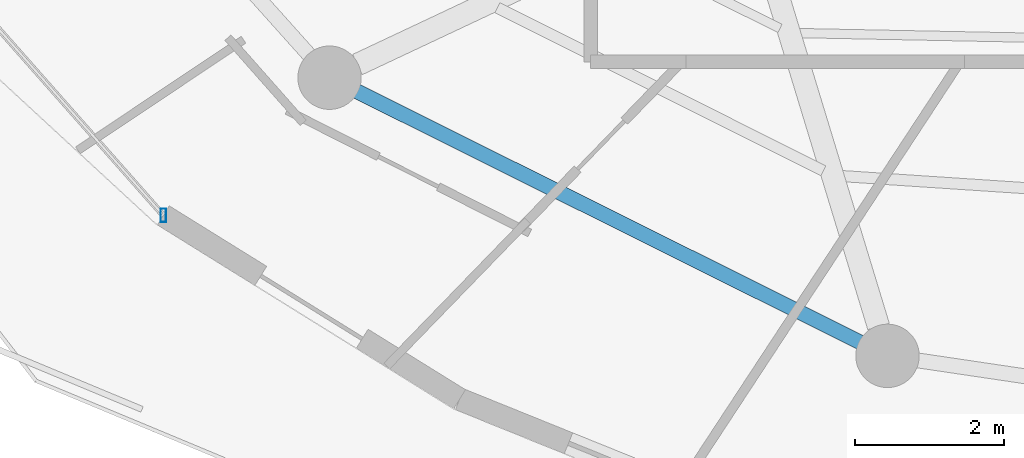
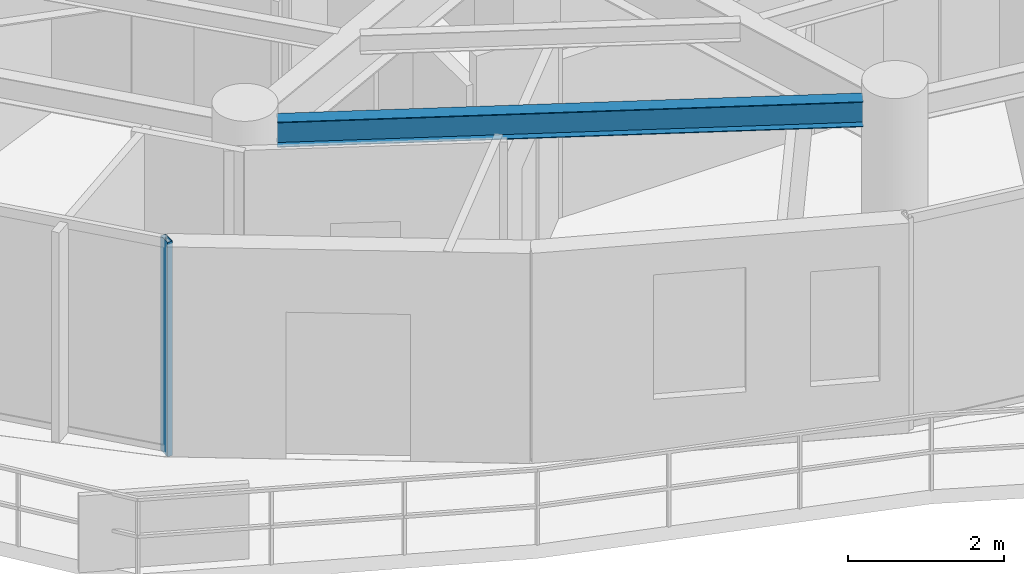
# One storey, part 2 of 31: 1 beam, 1 member, 1 element without a shape of its own.
"""IFC4 building model written with IfcOpenShell, lengths in metres."""

from ifc_helpers import new_model, si_unit, direction, frame, origin, origin_2d, place, context, subcontext, project, spatial, hollow_rectangle, i_section, extrude, material, material_profile, profile_set, type_object, element, aggregate, save


model = new_model("IFC4")

# Units and contexts
model_context = context("Model", 3, precision=1e-05, world=origin(), true_north=direction((0.0, 1.0)))
body_context = subcontext(model_context, "Body", "Model", "MODEL_VIEW")
ifc_project = project(units=[si_unit("LENGTHUNIT", "METRE"), si_unit("AREAUNIT", "SQUARE_METRE"), si_unit("VOLUMEUNIT", "CUBIC_METRE"), si_unit("PLANEANGLEUNIT", "RADIAN"), si_unit("MASSUNIT", "GRAM", prefix="KILO")], contexts=[model_context])

# Site, building, storey
site_placement = place(None, origin())
site = spatial("IfcSite", under=ifc_project, at=site_placement, CompositionType="ELEMENT")
building_placement = place(site_placement, origin())
building = spatial("IfcBuilding", under=site, at=building_placement, Name="Vorneva Point Tower", CompositionType="ELEMENT")
storey_placement = place(building_placement, frame((0.0, 0.0, 248.449951171875)))
storey = spatial("IfcBuildingStorey", under=building, at=storey_placement, Name="L67", CompositionType="ELEMENT", Elevation=248.449951171875)

# Beam
ifc_material_1 = material(Name="Steel S355", Category="steel")
ifc_material_profile_1 = material_profile(ifc_material_1, i_section(OverallWidth=0.198974609375, OverallDepth=0.39599609375, WebThickness=0.007080078125, FlangeThickness=0.010986328125, at=origin_2d()), Name="40B1")
ifc_profile_set_1 = profile_set([ifc_material_profile_1], Name="Steel S355")
beam_type = type_object("IfcBeamType", Name="BM-SPN-40B1", PredefinedType="SPANDREL", material=ifc_profile_set_1)
beam_placement = place(storey_placement, frame((22.068115234375, 13.65478515625, 3.092041015625), z_axis=(0.894932011528, -0.446202526599, 0.0), x_axis=(0.446202526599, 0.894932011528, 0.0)))
element("IfcBeam", 1, at=beam_placement, inside=storey, type_object=beam_type, Name="L67 Perimeter Spandrel Ring Beam 11", PredefinedType="SPANDREL", context=body_context, shape_type="SweptSolid", body=[
    extrude(i_section(OverallWidth=0.198974609375, OverallDepth=0.39599609375, WebThickness=0.007080078125, FlangeThickness=0.010986328125, at=origin_2d()), origin(), (0.0, 0.0, 1.0), 7.535888671875),
])

# Curtain wall, member
ifc_material_2 = material(Name="Pale anodised aluminium", Category="aluminium")
curtain_wall_type = type_object("IfcCurtainWallType", Name="CW-RES-SYS", PredefinedType="NOTDEFINED", material=ifc_material_2)
curtain_wall_placement = place(storey_placement, origin())
curtain_wall = element("IfcCurtainWall", 2, at=curtain_wall_placement, inside=storey, type_object=curtain_wall_type, Name="L67 Unitised Curtain Wall CW-L67-R03", PredefinedType="NOTDEFINED")
ifc_material_profile_2 = material_profile(ifc_material_2, hollow_rectangle(XDim=0.074951171875, YDim=0.179931640625, WallThickness=0.00390625, at=origin_2d()), Name="AL-MUL 180x75x4")
ifc_profile_set_2 = profile_set([ifc_material_profile_2], Name="Pale anodised aluminium")
member_type = type_object("IfcMemberType", Name="CW-MUL-180", PredefinedType="MULLION", material=ifc_profile_set_2)
member_placement = place(storey_placement, frame((19.473876953125, 11.9921875, -0.0400390625), z_axis=(0.0, 0.0, 1.0), x_axis=(1.0, 0.0, 0.0)))
member = element("IfcMember", 3, at=member_placement, type_object=member_type, Name="CW-L67-R03 Mullion 05", PredefinedType="MULLION", context=body_context, shape_type="SweptSolid", body=[
    extrude(hollow_rectangle(XDim=0.074951171875, YDim=0.179931640625, WallThickness=0.00390625, at=origin_2d()), origin(), (0.0, 0.0, 1.0), 3.360107421875),
])
aggregate(curtain_wall, [member])

save(model, "model.ifc")
